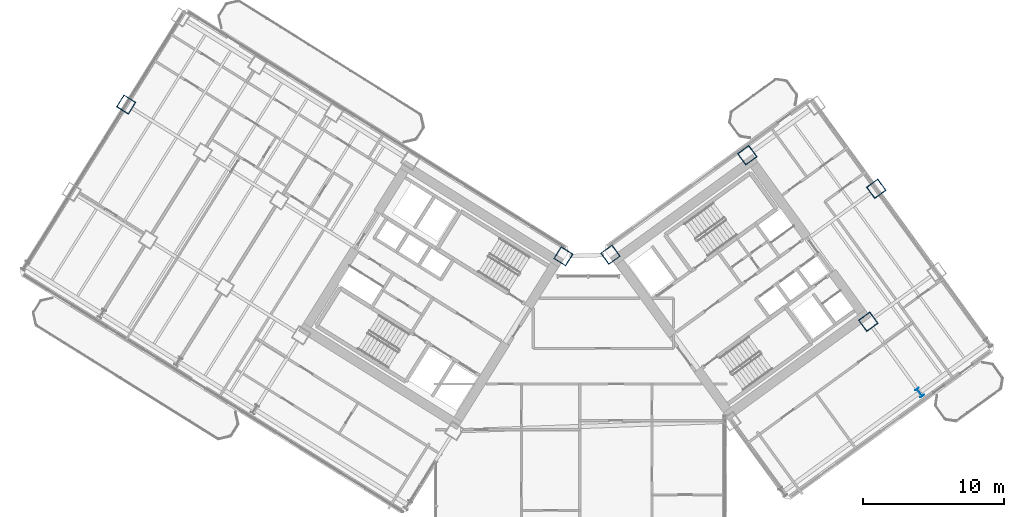
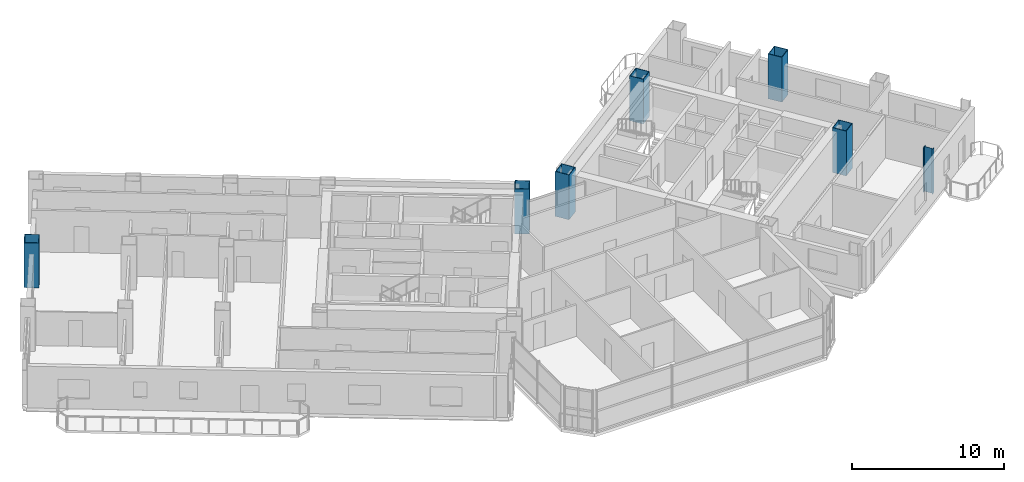
# One storey, part 2 of 28: 7 columns.
"""IFC4 building model written with IfcOpenShell, lengths in metres."""

from ifc_helpers import new_model, si_unit, direction, frame, origin, origin_2d, place, context, subcontext, project, spatial, hollow_rectangle, i_section, extrude, source, transform, mapped, material, material_profile, profile_set, type_object, element, save


model = new_model("IFC4")

# Units and contexts
model_context = context("Model", 3, precision=1e-05, world=origin(), true_north=direction((0.0, 1.0)))
body_context = subcontext(model_context, "Body", "Model", "MODEL_VIEW")
ifc_project = project(units=[si_unit("LENGTHUNIT", "METRE"), si_unit("AREAUNIT", "SQUARE_METRE"), si_unit("VOLUMEUNIT", "CUBIC_METRE"), si_unit("PLANEANGLEUNIT", "RADIAN"), si_unit("MASSUNIT", "GRAM", prefix="KILO")], contexts=[model_context])

# Site, building, storey
site_placement = place(None, origin())
site = spatial("IfcSite", under=ifc_project, at=site_placement, CompositionType="ELEMENT")
building_placement = place(site_placement, origin())
building = spatial("IfcBuilding", under=site, at=building_placement, Name="Tlacorven Tower", CompositionType="ELEMENT")
storey_placement = place(building_placement, frame((0.0, 0.0, 42.0)))
storey = spatial("IfcBuildingStorey", under=building, at=storey_placement, Name="L10", CompositionType="ELEMENT", Elevation=42.0)

# Columns
ifc_material = material(Name="Steel S460M", Category="steel")
ifc_material_profile_1 = material_profile(ifc_material, hollow_rectangle(XDim=1.0, YDim=1.0, WallThickness=0.0400390625, at=origin_2d()), Name="BOX 1000X1000X40")
ifc_profile_set_1 = profile_set([ifc_material_profile_1], Name="Steel S460M")
column_type_1 = type_object("IfcColumnType", Name="COL-TWR-S1", PredefinedType="COLUMN", material=ifc_profile_set_1)
shared_shape_1 = source(origin(), body_context, "Body", "SweptSolid", [
    extrude(hollow_rectangle(XDim=1.0, YDim=1.0, WallThickness=0.0400390625, at=origin_2d()), origin(), (0.0, 0.0, 1.0), 3.60009765625),
])
for number, where, z_axis, x_axis, name in (
    (1, (40.782958984375, 24.468505859375, 0.0), (0.0, 0.0, 1.0), (-0.848048096156, 0.529919264233, 0.0), "L10 column COL-L10-W1-1"),
    (2, (9.777099609375, 35.235107421875, 0.0), (0.0, 0.0, 1.0), (-0.848048096156, 0.529919264233, 0.0), "L10 column COL-L10-W6-2"),
    (3, (44.123779296875, 24.5849609375, 0.0), (0.0, 0.0, 1.0), (0.809016994375, 0.587785252292, 0.0), "L10 column COL-L10-E1-4"),
    (4, (62.41357421875, 19.826904296875, 0.0), (0.0, 0.0, 1.0), (0.809016994375, 0.587785252292, 0.0), "L10 column COL-L10-E3-2"),
    (5, (53.83203125, 31.638427734375, 0.0), (0.0, 0.0, 1.0), (0.809016994375, 0.587785252292, 0.0), "L10 column COL-L10-E3-4"),
    (6, (62.976806640625, 29.25927734375, 0.0), (0.0, 0.0, 1.0), (0.809016994375, 0.587785252292, 0.0), "L10 column COL-L10-E4-3"),
):
    element("IfcColumn", number, at=place(storey_placement, frame(where, z_axis=z_axis, x_axis=x_axis)), inside=storey, type_object=column_type_1, Name=name, PredefinedType="COLUMN", context=body_context, shape_type="MappedRepresentation", body=[
        mapped(shared_shape_1, transform((0.0, 0.0, 0.0), scale=1.0)),
    ])
ifc_material_profile_2 = material_profile(ifc_material, i_section(OverallWidth=0.300048828125, OverallDepth=0.64990234375, WebThickness=0.01611328125, FlangeThickness=0.031005859375, at=origin_2d()), Name="HEB 650")
ifc_profile_set_2 = profile_set([ifc_material_profile_2], Name="Steel S460M")
column_type_2 = type_object("IfcColumnType", Name="COL-TWR-P1", PredefinedType="COLUMN", material=ifc_profile_set_2)
shared_shape_2 = source(origin(), body_context, "Body", "SweptSolid", [
    extrude(i_section(OverallWidth=0.300048828125, OverallDepth=0.64990234375, WebThickness=0.01611328125, FlangeThickness=0.031005859375, at=origin_2d()), origin(), (0.0, 0.0, 1.0), 3.60009765625),
])
column_placement = place(storey_placement, frame((66.057861328125, 14.81103515625, 0.0), z_axis=(0.0, 0.0, 1.0), x_axis=(0.809016994375, 0.587785252292, 0.0)))
element("IfcColumn", 7, at=column_placement, inside=storey, type_object=column_type_2, Name="L10 column COL-L10-E3-1", PredefinedType="COLUMN", context=body_context, shape_type="MappedRepresentation", body=[
    mapped(shared_shape_2, transform((0.0, 0.0, 0.0), scale=1.0)),
])

save(model, "model.ifc")
